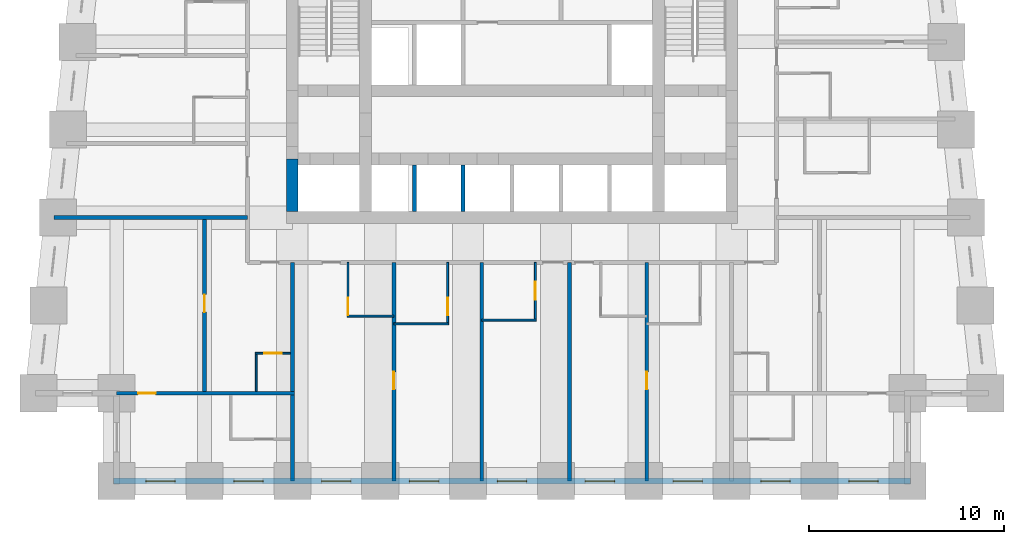
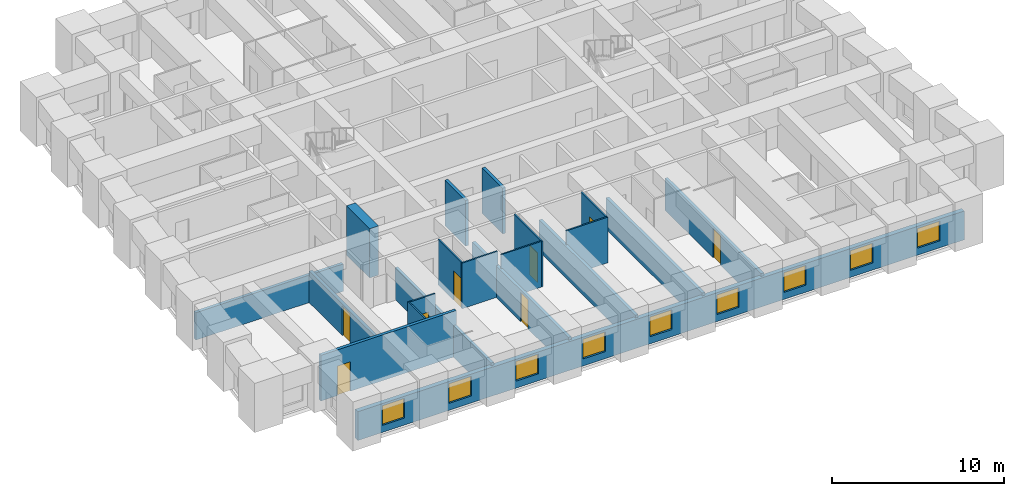
# One storey, part 2 of 8: 20 walls, 9 windows, 8 doors, 17 openings.
"""IFC4 building model written with IfcOpenShell, lengths in metres."""

from ifc_helpers import new_model, si_unit, direction, frame, frame_2d, origin, place, context, subcontext, project, spatial, rectangle, extrude, material, layer, layer_set, type_object, element, fill, save


model = new_model("IFC4")

# Units and contexts
model_context = context("Model", 3, precision=1e-05, world=origin(), true_north=direction((0.0, 1.0)))
body_context = subcontext(model_context, "Body", "Model", "MODEL_VIEW")
ifc_project = project(units=[si_unit("LENGTHUNIT", "METRE"), si_unit("AREAUNIT", "SQUARE_METRE"), si_unit("VOLUMEUNIT", "CUBIC_METRE"), si_unit("PLANEANGLEUNIT", "RADIAN"), si_unit("MASSUNIT", "GRAM", prefix="KILO")], contexts=[model_context])

# Site, building, storey
site_placement = place(None, origin())
site = spatial("IfcSite", under=ifc_project, at=site_placement, CompositionType="ELEMENT")
building_placement = place(site_placement, origin())
building = spatial("IfcBuilding", under=site, at=building_placement, Name="Kilele Tower Hotel", CompositionType="ELEMENT")
storey_placement = place(building_placement, frame((0.0, 0.0, 71.699951171875)))
storey = spatial("IfcBuildingStorey", under=building, at=storey_placement, Name="L17", CompositionType="ELEMENT", Elevation=71.699951171875)

# Wall
ifc_material_1 = material(Name="Moisture-resistant board")
ifc_layer_1 = layer(ifc_material_1, 0.10009765625)
ifc_layer_set_1 = layer_set([ifc_layer_1], Name="Moisture-resistant board")
wall_type_1 = type_object("IfcWallType", Name="Bathroom partition 100", PredefinedType="PLUMBINGWALL", material=ifc_layer_set_1)
wall_1_placement = place(storey_placement, frame((16.300048828125, 8.449951171875, 0.0), z_axis=(0.0, 0.0, 1.0), x_axis=(1.0, 0.0, 0.0)))
element("IfcWall", 1, at=wall_1_placement, inside=storey, type_object=wall_type_1, Name="Bathroom partition 100 L17", PredefinedType="PLUMBINGWALL", context=body_context, shape_type="SweptSolid", body=[
    extrude(rectangle(XDim=2.39990234375, YDim=0.10009765625, at=frame_2d((1.199951171875, 0.0))), origin(), (0.0, 0.0, 1.0), 3.25),
])

# Wall, opening, door
wall_2_placement = place(storey_placement, frame((16.35009765625, 11.199951171875, 0.0), z_axis=(0.0, 0.0, 1.0), x_axis=(0.0, -1.0, 0.0)))
wall_2 = element("IfcWall", 2, at=wall_2_placement, inside=storey, type_object=wall_type_1, Name="Bathroom partition 100 L17", PredefinedType="PLUMBINGWALL", context=body_context, shape_type="SweptSolid", body=[
    extrude(rectangle(XDim=2.800048828125, YDim=0.10009765625, at=frame_2d((1.39990234375, 0.0))), origin(), (0.0, 0.0, 1.0), 3.25),
])
opening_1_placement = place(wall_2_placement, frame((2.699951171875, 0.0, 0.0), z_axis=(0.0, 0.0, 1.0), x_axis=(-1.0, 0.0, 0.0)))
opening_1 = element("IfcOpeningElement", 3, at=opening_1_placement, cuts=wall_2, Name="Opening D2A", PredefinedType="OPENING", context=body_context, shape_type="SweptSolid", body=[
    extrude(rectangle(XDim=0.89990234375, YDim=2.10009765625, at=frame_2d((0.449951171875, 1.050048828125))), frame((0.0, 0.06005859375, 0.0), z_axis=(0.0, -1.0, 0.0), x_axis=(1.0, 0.0, 0.0)), (0.0, 0.0, 1.0), 0.1201171875),
])
ifc_material_2 = material(Name="Timber door leaf in hardwood frame", Category="wood")
door_type_1 = type_object("IfcDoorType", Name="Bathroom door 900", OperationType="SINGLE_SWING_LEFT", PredefinedType="DOOR", material=ifc_material_2)
door_1_placement = place(opening_1_placement, origin())
door_1 = element("IfcDoor", 4, at=door_1_placement, inside=storey, type_object=door_type_1, Name="Bathroom door 1701B", OperationType="SINGLE_SWING_LEFT", OverallHeight=2.10009765625, OverallWidth=0.89990234375, PredefinedType="DOOR", context=body_context, shape_type="SweptSolid", body=[
    extrude(rectangle(XDim=0.89990234375, YDim=2.10009765625, at=frame_2d((0.449951171875, 1.050048828125))), frame((0.0, 0.02490234375, 0.0), z_axis=(0.0, -1.0, 0.0), x_axis=(1.0, 0.0, 0.0)), (0.0, 0.0, 1.0), 0.050048828125),
])
fill(opening_1, door_1)

# Wall
wall_3_placement = place(storey_placement, frame((18.699951171875, 8.050048828125, 0.0), z_axis=(0.0, 0.0, 1.0), x_axis=(1.0, 0.0, 0.0)))
element("IfcWall", 5, at=wall_3_placement, inside=storey, type_object=wall_type_1, Name="Bathroom partition 100 L17", PredefinedType="PLUMBINGWALL", context=body_context, shape_type="SweptSolid", body=[
    extrude(rectangle(XDim=2.800048828125, YDim=0.10009765625, at=frame_2d((1.39990234375, 0.0))), origin(), (0.0, 0.0, 1.0), 3.25),
])

# Wall, opening, door
wall_4_placement = place(storey_placement, frame((21.449951171875, 11.199951171875, 0.0), z_axis=(0.0, 0.0, 1.0), x_axis=(0.0, -1.0, 0.0)))
wall_4 = element("IfcWall", 6, at=wall_4_placement, inside=storey, type_object=wall_type_1, Name="Bathroom partition 100 L17", PredefinedType="PLUMBINGWALL", context=body_context, shape_type="SweptSolid", body=[
    extrude(rectangle(XDim=3.199951171875, YDim=0.10009765625, at=frame_2d((1.60009765625, 0.0))), origin(), (0.0, 0.0, 1.0), 3.25),
])
opening_2_placement = place(wall_4_placement, frame((1.800048828125, 0.0, 0.0)))
opening_2 = element("IfcOpeningElement", 7, at=opening_2_placement, cuts=wall_4, Name="Opening D2A", PredefinedType="OPENING", context=body_context, shape_type="SweptSolid", body=[
    extrude(rectangle(XDim=0.89990234375, YDim=2.10009765625, at=frame_2d((0.449951171875, 1.050048828125))), frame((0.0, 0.06005859375, 0.0), z_axis=(0.0, -1.0, 0.0), x_axis=(1.0, 0.0, 0.0)), (0.0, 0.0, 1.0), 0.1201171875),
])
door_2_placement = place(opening_2_placement, origin())
door_2 = element("IfcDoor", 8, at=door_2_placement, inside=storey, type_object=door_type_1, Name="Bathroom door 1702B", OperationType="SINGLE_SWING_RIGHT", OverallHeight=2.10009765625, OverallWidth=0.89990234375, PredefinedType="DOOR", context=body_context, shape_type="SweptSolid", body=[
    extrude(rectangle(XDim=0.89990234375, YDim=2.10009765625, at=frame_2d((0.449951171875, 1.050048828125))), frame((0.0, 0.02490234375, 0.0), z_axis=(0.0, -1.0, 0.0), x_axis=(1.0, 0.0, 0.0)), (0.0, 0.0, 1.0), 0.050048828125),
])
fill(opening_2, door_2)

# Wall
wall_5_placement = place(storey_placement, frame((23.199951171875, 8.25, 0.0), z_axis=(0.0, 0.0, 1.0), x_axis=(1.0, 0.0, 0.0)))
element("IfcWall", 9, at=wall_5_placement, inside=storey, type_object=wall_type_1, Name="Bathroom partition 100 L17", PredefinedType="PLUMBINGWALL", context=body_context, shape_type="SweptSolid", body=[
    extrude(rectangle(XDim=2.800048828125, YDim=0.10009765625, at=frame_2d((1.39990234375, 0.0))), origin(), (0.0, 0.0, 1.0), 3.25),
])

# Wall, opening, door
wall_6_placement = place(storey_placement, frame((25.949951171875, 11.199951171875, 0.0), z_axis=(0.0, 0.0, 1.0), x_axis=(0.0, -1.0, 0.0)))
wall_6 = element("IfcWall", 10, at=wall_6_placement, inside=storey, type_object=wall_type_1, Name="Bathroom partition 100 L17", PredefinedType="PLUMBINGWALL", context=body_context, shape_type="SweptSolid", body=[
    extrude(rectangle(XDim=3.0, YDim=0.10009765625, at=frame_2d((1.5, 0.0))), origin(), (0.0, 0.0, 1.0), 3.25),
])
opening_3_placement = place(wall_6_placement, frame((1.0, 0.0, 0.0)))
opening_3 = element("IfcOpeningElement", 11, at=opening_3_placement, cuts=wall_6, Name="Opening D2A", PredefinedType="OPENING", context=body_context, shape_type="SweptSolid", body=[
    extrude(rectangle(XDim=0.89990234375, YDim=2.10009765625, at=frame_2d((0.449951171875, 1.050048828125))), frame((0.0, 0.06005859375, 0.0), z_axis=(0.0, -1.0, 0.0), x_axis=(1.0, 0.0, 0.0)), (0.0, 0.0, 1.0), 0.1201171875),
])
door_3_placement = place(opening_3_placement, origin())
door_3 = element("IfcDoor", 12, at=door_3_placement, inside=storey, type_object=door_type_1, Name="Bathroom door 1703B", OperationType="SINGLE_SWING_LEFT", OverallHeight=2.10009765625, OverallWidth=0.89990234375, PredefinedType="DOOR", context=body_context, shape_type="SweptSolid", body=[
    extrude(rectangle(XDim=0.89990234375, YDim=2.10009765625, at=frame_2d((0.449951171875, 1.050048828125))), frame((0.0, 0.02490234375, 0.0), z_axis=(0.0, -1.0, 0.0), x_axis=(1.0, 0.0, 0.0)), (0.0, 0.0, 1.0), 0.050048828125),
])
fill(opening_3, door_3)

# Wall
wall_7_placement = place(storey_placement, frame((11.64990234375, 4.60009765625, 0.0), z_axis=(0.0, 0.0, 1.0), x_axis=(0.0, 1.0, 0.0)))
element("IfcWall", 13, at=wall_7_placement, inside=storey, type_object=wall_type_1, Name="Bathroom partition 100 L17", PredefinedType="PLUMBINGWALL", context=body_context, shape_type="SweptSolid", body=[
    extrude(rectangle(XDim=2.0, YDim=0.10009765625, at=frame_2d((1.0, 0.0))), origin(), (0.0, 0.0, 1.0), 3.25),
])

# Wall, opening, door
wall_8_placement = place(storey_placement, frame((13.39990234375, 6.550048828125, 0.0), z_axis=(0.0, 0.0, 1.0), x_axis=(-1.0, 0.0, 0.0)))
wall_8 = element("IfcWall", 14, at=wall_8_placement, inside=storey, type_object=wall_type_1, Name="Bathroom partition 100 L17", PredefinedType="PLUMBINGWALL", context=body_context, shape_type="SweptSolid", body=[
    extrude(rectangle(XDim=1.7998046875, YDim=0.10009765625, at=frame_2d((0.89990234375, 0.0))), origin(), (0.0, 0.0, 1.0), 3.25),
])
opening_4_placement = place(wall_8_placement, frame((1.349853515625, 0.0, 0.0), z_axis=(0.0, 0.0, 1.0), x_axis=(-1.0, 0.0, 0.0)))
opening_4 = element("IfcOpeningElement", 15, at=opening_4_placement, cuts=wall_8, Name="Opening D2A", PredefinedType="OPENING", context=body_context, shape_type="SweptSolid", body=[
    extrude(rectangle(XDim=0.89990234375, YDim=2.10009765625, at=frame_2d((0.449951171875, 1.050048828125))), frame((0.0, 0.06005859375, 0.0), z_axis=(0.0, -1.0, 0.0), x_axis=(1.0, 0.0, 0.0)), (0.0, 0.0, 1.0), 0.1201171875),
])
door_4_placement = place(opening_4_placement, origin())
door_4 = element("IfcDoor", 16, at=door_4_placement, inside=storey, type_object=door_type_1, Name="Bathroom door 1717P", OperationType="SINGLE_SWING_RIGHT", OverallHeight=2.10009765625, OverallWidth=0.89990234375, PredefinedType="DOOR", context=body_context, shape_type="SweptSolid", body=[
    extrude(rectangle(XDim=0.89990234375, YDim=2.10009765625, at=frame_2d((0.449951171875, 1.050048828125))), frame((0.0, 0.02490234375, 0.0), z_axis=(0.0, -1.0, 0.0), x_axis=(1.0, 0.0, 0.0)), (0.0, 0.0, 1.0), 0.050048828125),
])
fill(opening_4, door_4)

# Wall
ifc_material_3 = material(Name="Concrete C60/75", Category="concrete")
ifc_layer_2 = layer(ifc_material_3, 0.60009765625)
ifc_layer_set_2 = layer_set([ifc_layer_2], Name="Concrete C60/75")
wall_type_2 = type_object("IfcWallType", Name="Core wall 600 C60/75", PredefinedType="SHEAR", material=ifc_layer_set_2)
wall_9_placement = place(storey_placement, frame((13.5, 16.5, 0.0), z_axis=(0.0, 0.0, 1.0), x_axis=(0.0, -1.0, 0.0)))
element("IfcWall", 17, at=wall_9_placement, inside=storey, type_object=wall_type_2, Name="Core wall W3 L17", PredefinedType="SHEAR", context=body_context, shape_type="SweptSolid", body=[
    extrude(rectangle(XDim=2.699951171875, YDim=0.60009765625, at=frame_2d((1.35009765625, 0.0))), origin(), (0.0, 0.0, 1.0), 3.5),
])

# Wall, opening, door
ifc_material_4 = material(Name="Blockwork, plastered both sides", Category="masonry")
ifc_layer_3 = layer(ifc_material_4, 0.199951171875)
ifc_layer_set_3 = layer_set([ifc_layer_3], Name="Blockwork, plastered both sides")
wall_type_3 = type_object("IfcWallType", Name="Partition wall 200", PredefinedType="PARTITIONING", material=ifc_layer_set_3)
wall_10_placement = place(storey_placement, frame((9.0, 4.60009765625, 0.0), z_axis=(0.0, 0.0, 1.0), x_axis=(0.0, 1.0, 0.0)))
wall_10 = element("IfcWall", 18, at=wall_10_placement, inside=storey, type_object=wall_type_3, Name="Partition wall 200 L17", PredefinedType="PARTITIONING", context=body_context, shape_type="SweptSolid", body=[
    extrude(rectangle(XDim=8.7998046875, YDim=0.199951171875, at=frame_2d((4.39990234375, 0.0))), origin(), (0.0, 0.0, 1.0), 2.25),
])
opening_5_placement = place(wall_10_placement, frame((4.050048828125, 0.0, 0.0)))
opening_5 = element("IfcOpeningElement", 19, at=opening_5_placement, cuts=wall_10, Name="Opening D3", PredefinedType="OPENING", context=body_context, shape_type="SweptSolid", body=[
    extrude(rectangle(XDim=0.89990234375, YDim=2.10009765625, at=frame_2d((0.449951171875, 1.050048828125))), frame((0.0, 0.10986328125, 0.0), z_axis=(0.0, -1.0, 0.0), x_axis=(1.0, 0.0, 0.0)), (0.0, 0.0, 1.0), 0.219970703125),
])
ifc_material_5 = material(Name="Timber door leaf in hardwood frame", Category="wood")
door_type_2 = type_object("IfcDoorType", Name="Suite internal door 900", OperationType="SINGLE_SWING_LEFT", PredefinedType="DOOR", material=ifc_material_5)
door_5_placement = place(opening_5_placement, origin())
door_5 = element("IfcDoor", 20, at=door_5_placement, inside=storey, type_object=door_type_2, Name="Suite door 1718", OperationType="SINGLE_SWING_RIGHT", OverallHeight=2.10009765625, OverallWidth=0.89990234375, PredefinedType="DOOR", context=body_context, shape_type="SweptSolid", body=[
    extrude(rectangle(XDim=0.89990234375, YDim=2.10009765625, at=frame_2d((0.449951171875, 1.050048828125))), frame((0.0, 0.02490234375, 0.0), z_axis=(0.0, -1.0, 0.0), x_axis=(1.0, 0.0, 0.0)), (0.0, 0.0, 1.0), 0.050048828125),
])
fill(opening_5, door_5)

ifc_material_6 = material(Name="Blockwork, plastered both sides", Category="masonry")
ifc_layer_4 = layer(ifc_material_6, 0.199951171875)
ifc_layer_set_4 = layer_set([ifc_layer_4], Name="Blockwork, plastered both sides")
wall_type_4 = type_object("IfcWallType", Name="Party wall 200", PredefinedType="PARTITIONING", material=ifc_layer_set_4)
wall_11_placement = place(storey_placement, frame((18.699951171875, 11.199951171875, 0.0), z_axis=(0.0, 0.0, 1.0), x_axis=(0.0, -1.0, 0.0)))
wall_11 = element("IfcWall", 21, at=wall_11_placement, inside=storey, type_object=wall_type_4, Name="Party wall 200 L17", PredefinedType="PARTITIONING", context=body_context, shape_type="SweptSolid", body=[
    extrude(rectangle(XDim=11.199951171875, YDim=0.199951171875, at=frame_2d((5.60009765625, 0.0))), origin(), (0.0, 0.0, 1.0), 2.25),
])
opening_6_placement = place(wall_11_placement, frame((5.60009765625, 0.0, 0.0)))
opening_6 = element("IfcOpeningElement", 22, at=opening_6_placement, cuts=wall_11, Name="Opening D3", PredefinedType="OPENING", context=body_context, shape_type="SweptSolid", body=[
    extrude(rectangle(XDim=0.89990234375, YDim=2.10009765625, at=frame_2d((0.449951171875, 1.050048828125))), frame((0.0, 0.10986328125, 0.0), z_axis=(0.0, -1.0, 0.0), x_axis=(1.0, 0.0, 0.0)), (0.0, 0.0, 1.0), 0.219970703125),
])
door_6_placement = place(opening_6_placement, origin())
door_6 = element("IfcDoor", 23, at=door_6_placement, inside=storey, type_object=door_type_2, Name="Suite door 1702", OperationType="SINGLE_SWING_RIGHT", OverallHeight=2.10009765625, OverallWidth=0.89990234375, PredefinedType="DOOR", context=body_context, shape_type="SweptSolid", body=[
    extrude(rectangle(XDim=0.89990234375, YDim=2.10009765625, at=frame_2d((0.449951171875, 1.050048828125))), frame((0.0, 0.02490234375, 0.0), z_axis=(0.0, -1.0, 0.0), x_axis=(1.0, 0.0, 0.0)), (0.0, 0.0, 1.0), 0.050048828125),
])
fill(opening_6, door_6)

# Walls
for number, where, z_axis, x_axis, name in (
    (24, (23.199951171875, 11.199951171875, 0.0), (0.0, 0.0, 1.0), (0.0, -1.0, 0.0), "Party wall 200 L17"),
    (25, (27.699951171875, 11.199951171875, 0.0), (0.0, 0.0, 1.0), (0.0, -1.0, 0.0), "Party wall 200 L17"),
):
    element("IfcWall", number, at=place(storey_placement, frame(where, z_axis=z_axis, x_axis=x_axis)), inside=storey, type_object=wall_type_4, Name=name, PredefinedType="PARTITIONING", context=body_context, shape_type="SweptSolid", body=[
        extrude(rectangle(XDim=11.199951171875, YDim=0.199951171875, at=frame_2d((5.60009765625, 0.0))), origin(), (0.0, 0.0, 1.0), 2.25),
    ])

# Wall, opening, door
wall_12_placement = place(storey_placement, frame((31.64990234375, 11.199951171875, 0.0), z_axis=(0.0, 0.0, 1.0), x_axis=(0.0, -1.0, 0.0)))
wall_12 = element("IfcWall", 26, at=wall_12_placement, inside=storey, type_object=wall_type_4, Name="Party wall 200 L17", PredefinedType="PARTITIONING", context=body_context, shape_type="SweptSolid", body=[
    extrude(rectangle(XDim=11.199951171875, YDim=0.199951171875, at=frame_2d((5.60009765625, 0.0))), origin(), (0.0, 0.0, 1.0), 2.25),
])
opening_7_placement = place(wall_12_placement, frame((5.60009765625, 0.0, 0.0)))
opening_7 = element("IfcOpeningElement", 27, at=opening_7_placement, cuts=wall_12, Name="Opening D3", PredefinedType="OPENING", context=body_context, shape_type="SweptSolid", body=[
    extrude(rectangle(XDim=0.89990234375, YDim=2.10009765625, at=frame_2d((0.449951171875, 1.050048828125))), frame((0.0, 0.10986328125, 0.0), z_axis=(0.0, -1.0, 0.0), x_axis=(1.0, 0.0, 0.0)), (0.0, 0.0, 1.0), 0.219970703125),
])
door_7_placement = place(opening_7_placement, origin())
door_7 = element("IfcDoor", 28, at=door_7_placement, inside=storey, type_object=door_type_2, Name="Suite door 1705", OperationType="SINGLE_SWING_RIGHT", OverallHeight=2.10009765625, OverallWidth=0.89990234375, PredefinedType="DOOR", context=body_context, shape_type="SweptSolid", body=[
    extrude(rectangle(XDim=0.89990234375, YDim=2.10009765625, at=frame_2d((0.449951171875, 1.050048828125))), frame((0.0, 0.02490234375, 0.0), z_axis=(0.0, -1.0, 0.0), x_axis=(1.0, 0.0, 0.0)), (0.0, 0.0, 1.0), 0.050048828125),
])
fill(opening_7, door_7)

# Walls
wall_13_placement = place(storey_placement, frame((11.199951171875, 13.5, 0.0), z_axis=(0.0, 0.0, 1.0), x_axis=(-1.0, 0.0, 0.0)))
element("IfcWall", 29, at=wall_13_placement, inside=storey, type_object=wall_type_4, Name="Party wall 200 L17", PredefinedType="PARTITIONING", context=body_context, shape_type="SweptSolid", body=[
    extrude(rectangle(XDim=9.921142578125, YDim=0.199951171875, at=frame_2d((4.96044921875, 0.0))), origin(), (0.0, 0.0, 1.0), 1.949951171875),
])
wall_14_placement = place(storey_placement, frame((13.5, 11.199951171875, 0.0), z_axis=(0.0, 0.0, 1.0), x_axis=(0.0, -1.0, 0.0)))
element("IfcWall", 30, at=wall_14_placement, inside=storey, type_object=wall_type_4, Name="Party wall 200 L17", PredefinedType="PARTITIONING", context=body_context, shape_type="SweptSolid", body=[
    extrude(rectangle(XDim=11.199951171875, YDim=0.199951171875, at=frame_2d((5.60009765625, 0.0))), origin(), (0.0, 0.0, 1.0), 2.25),
])

# Wall, opening, door
wall_15_placement = place(storey_placement, frame((13.60009765625, 4.5, 0.0), z_axis=(0.0, 0.0, 1.0), x_axis=(-1.0, 0.0, 0.0)))
wall_15 = element("IfcWall", 31, at=wall_15_placement, inside=storey, type_object=wall_type_4, Name="Party wall 200 L17", PredefinedType="PARTITIONING", context=body_context, shape_type="SweptSolid", body=[
    extrude(rectangle(XDim=9.10009765625, YDim=0.199951171875, at=frame_2d((4.550048828125, 0.0))), origin(), (0.0, 0.0, 1.0), 3.25),
])
opening_8_placement = place(wall_15_placement, frame((7.10009765625, 0.0, 0.0)))
opening_8 = element("IfcOpeningElement", 32, at=opening_8_placement, cuts=wall_15, Name="Opening D3", PredefinedType="OPENING", context=body_context, shape_type="SweptSolid", body=[
    extrude(rectangle(XDim=0.89990234375, YDim=2.10009765625, at=frame_2d((0.449951171875, 1.050048828125))), frame((0.0, 0.10986328125, 0.0), z_axis=(0.0, -1.0, 0.0), x_axis=(1.0, 0.0, 0.0)), (0.0, 0.0, 1.0), 0.219970703125),
])
door_8_placement = place(opening_8_placement, origin())
door_8 = element("IfcDoor", 33, at=door_8_placement, inside=storey, type_object=door_type_2, Name="Suite door 1719", OperationType="SINGLE_SWING_RIGHT", OverallHeight=2.10009765625, OverallWidth=0.89990234375, PredefinedType="DOOR", context=body_context, shape_type="SweptSolid", body=[
    extrude(rectangle(XDim=0.89990234375, YDim=2.10009765625, at=frame_2d((0.449951171875, 1.050048828125))), frame((0.0, 0.02490234375, 0.0), z_axis=(0.0, -1.0, 0.0), x_axis=(1.0, 0.0, 0.0)), (0.0, 0.0, 1.0), 0.050048828125),
])
fill(opening_8, door_8)

# Wall, openings, windows
ifc_material_7 = material(Name="Concrete C40/50 precast", Category="concrete")
ifc_layer_5 = layer(ifc_material_7, 0.260009765625, Name="Precast backing", Category="LoadBearing")
ifc_material_8 = material(Name="Reconstituted stone finish", Category="masonry")
ifc_layer_6 = layer(ifc_material_8, 0.0400390625, Name="Face mix", Category="Finish")
ifc_layer_set_5 = layer_set([ifc_layer_5, ifc_layer_6], Name="Precast concrete C40/50, reconstituted stone finish")
wall_type_5 = type_object("IfcWallType", Name="Precast stone facade wall 300", PredefinedType="STANDARD", material=ifc_layer_set_5)
wall_16_placement = place(storey_placement, frame((4.35009765625, 0.0, 0.0), z_axis=(0.0, 0.0, 1.0), x_axis=(1.0, 0.0, 0.0)))
wall_16 = element("IfcWall", 34, at=wall_16_placement, inside=storey, type_object=wall_type_5, Name="Facade wall L17 edge 3", PredefinedType="STANDARD", context=body_context, shape_type="SweptSolid", body=[
    extrude(rectangle(XDim=40.7998046875, YDim=0.300048828125, at=frame_2d((20.39990234375, 0.0))), origin(), (0.0, 0.0, 1.0), 2.050048828125),
])
opening_9_placement = place(wall_16_placement, frame((1.64990234375, 0.0, 0.5)))
opening_9 = element("IfcOpeningElement", 35, at=opening_9_placement, cuts=wall_16, Name="Opening W1", PredefinedType="OPENING", context=body_context, shape_type="SweptSolid", body=[
    extrude(rectangle(XDim=1.5, YDim=1.39990234375, at=frame_2d((0.75, 0.699951171875))), frame((0.0, 0.159912109375, 0.0), z_axis=(0.0, -1.0, 0.0), x_axis=(1.0, 0.0, 0.0)), (0.0, 0.0, 1.0), 0.320068359375),
])
opening_10_placement = place(wall_16_placement, frame((6.14990234375, 0.0, 0.5)))
opening_10 = element("IfcOpeningElement", 36, at=opening_10_placement, cuts=wall_16, Name="Opening W1", PredefinedType="OPENING", context=body_context, shape_type="SweptSolid", body=[
    extrude(rectangle(XDim=1.5, YDim=1.39990234375, at=frame_2d((0.75, 0.699951171875))), frame((0.0, 0.159912109375, 0.0), z_axis=(0.0, -1.0, 0.0), x_axis=(1.0, 0.0, 0.0)), (0.0, 0.0, 1.0), 0.320068359375),
])
opening_11_placement = place(wall_16_placement, frame((10.64990234375, 0.0, 0.5)))
opening_11 = element("IfcOpeningElement", 37, at=opening_11_placement, cuts=wall_16, Name="Opening W1", PredefinedType="OPENING", context=body_context, shape_type="SweptSolid", body=[
    extrude(rectangle(XDim=1.5, YDim=1.39990234375, at=frame_2d((0.75, 0.699951171875))), frame((0.0, 0.159912109375, 0.0), z_axis=(0.0, -1.0, 0.0), x_axis=(1.0, 0.0, 0.0)), (0.0, 0.0, 1.0), 0.320068359375),
])
opening_12_placement = place(wall_16_placement, frame((15.14990234375, 0.0, 0.5)))
opening_12 = element("IfcOpeningElement", 38, at=opening_12_placement, cuts=wall_16, Name="Opening W1", PredefinedType="OPENING", context=body_context, shape_type="SweptSolid", body=[
    extrude(rectangle(XDim=1.5, YDim=1.39990234375, at=frame_2d((0.75, 0.699951171875))), frame((0.0, 0.159912109375, 0.0), z_axis=(0.0, -1.0, 0.0), x_axis=(1.0, 0.0, 0.0)), (0.0, 0.0, 1.0), 0.320068359375),
])
opening_13_placement = place(wall_16_placement, frame((19.64990234375, 0.0, 0.5)))
opening_13 = element("IfcOpeningElement", 39, at=opening_13_placement, cuts=wall_16, Name="Opening W1", PredefinedType="OPENING", context=body_context, shape_type="SweptSolid", body=[
    extrude(rectangle(XDim=1.5, YDim=1.39990234375, at=frame_2d((0.75, 0.699951171875))), frame((0.0, 0.159912109375, 0.0), z_axis=(0.0, -1.0, 0.0), x_axis=(1.0, 0.0, 0.0)), (0.0, 0.0, 1.0), 0.320068359375),
])
opening_14_placement = place(wall_16_placement, frame((24.14990234375, 0.0, 0.5)))
opening_14 = element("IfcOpeningElement", 40, at=opening_14_placement, cuts=wall_16, Name="Opening W1", PredefinedType="OPENING", context=body_context, shape_type="SweptSolid", body=[
    extrude(rectangle(XDim=1.5, YDim=1.39990234375, at=frame_2d((0.75, 0.699951171875))), frame((0.0, 0.159912109375, 0.0), z_axis=(0.0, -1.0, 0.0), x_axis=(1.0, 0.0, 0.0)), (0.0, 0.0, 1.0), 0.320068359375),
])
opening_15_placement = place(wall_16_placement, frame((28.64990234375, 0.0, 0.5)))
opening_15 = element("IfcOpeningElement", 41, at=opening_15_placement, cuts=wall_16, Name="Opening W1", PredefinedType="OPENING", context=body_context, shape_type="SweptSolid", body=[
    extrude(rectangle(XDim=1.5, YDim=1.39990234375, at=frame_2d((0.75, 0.699951171875))), frame((0.0, 0.159912109375, 0.0), z_axis=(0.0, -1.0, 0.0), x_axis=(1.0, 0.0, 0.0)), (0.0, 0.0, 1.0), 0.320068359375),
])
opening_16_placement = place(wall_16_placement, frame((33.14990234375, 0.0, 0.5)))
opening_16 = element("IfcOpeningElement", 42, at=opening_16_placement, cuts=wall_16, Name="Opening W1", PredefinedType="OPENING", context=body_context, shape_type="SweptSolid", body=[
    extrude(rectangle(XDim=1.5, YDim=1.39990234375, at=frame_2d((0.75, 0.699951171875))), frame((0.0, 0.159912109375, 0.0), z_axis=(0.0, -1.0, 0.0), x_axis=(1.0, 0.0, 0.0)), (0.0, 0.0, 1.0), 0.320068359375),
])
opening_17_placement = place(wall_16_placement, frame((37.64990234375, 0.0, 0.5)))
opening_17 = element("IfcOpeningElement", 43, at=opening_17_placement, cuts=wall_16, Name="Opening W1", PredefinedType="OPENING", context=body_context, shape_type="SweptSolid", body=[
    extrude(rectangle(XDim=1.5, YDim=1.39990234375, at=frame_2d((0.75, 0.699951171875))), frame((0.0, 0.159912109375, 0.0), z_axis=(0.0, -1.0, 0.0), x_axis=(1.0, 0.0, 0.0)), (0.0, 0.0, 1.0), 0.320068359375),
])
ifc_material_9 = material(Name="Aluminium frame, clear double glazing", Category="aluminium")
window_type = type_object("IfcWindowType", Name="Window W1 1500 x 1400", PartitioningType="SINGLE_PANEL", PredefinedType="WINDOW", material=ifc_material_9)
window_1_placement = place(opening_9_placement, origin())
window_1 = element("IfcWindow", 44, at=window_1_placement, inside=storey, type_object=window_type, Name="Window L17", OverallHeight=1.39990234375, OverallWidth=1.5, PartitioningType="SINGLE_PANEL", PredefinedType="WINDOW", context=body_context, shape_type="SweptSolid", body=[
    extrude(rectangle(XDim=1.5, YDim=1.39990234375, at=frame_2d((0.75, 0.699951171875))), frame((0.0, 0.030029296875, 0.0), z_axis=(0.0, -1.0, 0.0), x_axis=(1.0, 0.0, 0.0)), (0.0, 0.0, 1.0), 0.06005859375),
])
fill(opening_9, window_1)
window_2_placement = place(opening_10_placement, origin())
window_2 = element("IfcWindow", 45, at=window_2_placement, inside=storey, type_object=window_type, Name="Window L17", OverallHeight=1.39990234375, OverallWidth=1.5, PartitioningType="SINGLE_PANEL", PredefinedType="WINDOW", context=body_context, shape_type="SweptSolid", body=[
    extrude(rectangle(XDim=1.5, YDim=1.39990234375, at=frame_2d((0.75, 0.699951171875))), frame((0.0, 0.030029296875, 0.0), z_axis=(0.0, -1.0, 0.0), x_axis=(1.0, 0.0, 0.0)), (0.0, 0.0, 1.0), 0.06005859375),
])
fill(opening_10, window_2)
window_3_placement = place(opening_11_placement, origin())
window_3 = element("IfcWindow", 46, at=window_3_placement, inside=storey, type_object=window_type, Name="Window L17", OverallHeight=1.39990234375, OverallWidth=1.5, PartitioningType="SINGLE_PANEL", PredefinedType="WINDOW", context=body_context, shape_type="SweptSolid", body=[
    extrude(rectangle(XDim=1.5, YDim=1.39990234375, at=frame_2d((0.75, 0.699951171875))), frame((0.0, 0.030029296875, 0.0), z_axis=(0.0, -1.0, 0.0), x_axis=(1.0, 0.0, 0.0)), (0.0, 0.0, 1.0), 0.06005859375),
])
fill(opening_11, window_3)
window_4_placement = place(opening_12_placement, origin())
window_4 = element("IfcWindow", 47, at=window_4_placement, inside=storey, type_object=window_type, Name="Window L17", OverallHeight=1.39990234375, OverallWidth=1.5, PartitioningType="SINGLE_PANEL", PredefinedType="WINDOW", context=body_context, shape_type="SweptSolid", body=[
    extrude(rectangle(XDim=1.5, YDim=1.39990234375, at=frame_2d((0.75, 0.699951171875))), frame((0.0, 0.030029296875, 0.0), z_axis=(0.0, -1.0, 0.0), x_axis=(1.0, 0.0, 0.0)), (0.0, 0.0, 1.0), 0.06005859375),
])
fill(opening_12, window_4)
window_5_placement = place(opening_13_placement, origin())
window_5 = element("IfcWindow", 48, at=window_5_placement, inside=storey, type_object=window_type, Name="Window L17", OverallHeight=1.39990234375, OverallWidth=1.5, PartitioningType="SINGLE_PANEL", PredefinedType="WINDOW", context=body_context, shape_type="SweptSolid", body=[
    extrude(rectangle(XDim=1.5, YDim=1.39990234375, at=frame_2d((0.75, 0.699951171875))), frame((0.0, 0.030029296875, 0.0), z_axis=(0.0, -1.0, 0.0), x_axis=(1.0, 0.0, 0.0)), (0.0, 0.0, 1.0), 0.06005859375),
])
fill(opening_13, window_5)
window_6_placement = place(opening_14_placement, origin())
window_6 = element("IfcWindow", 49, at=window_6_placement, inside=storey, type_object=window_type, Name="Window L17", OverallHeight=1.39990234375, OverallWidth=1.5, PartitioningType="SINGLE_PANEL", PredefinedType="WINDOW", context=body_context, shape_type="SweptSolid", body=[
    extrude(rectangle(XDim=1.5, YDim=1.39990234375, at=frame_2d((0.75, 0.699951171875))), frame((0.0, 0.030029296875, 0.0), z_axis=(0.0, -1.0, 0.0), x_axis=(1.0, 0.0, 0.0)), (0.0, 0.0, 1.0), 0.06005859375),
])
fill(opening_14, window_6)
window_7_placement = place(opening_15_placement, origin())
window_7 = element("IfcWindow", 50, at=window_7_placement, inside=storey, type_object=window_type, Name="Window L17", OverallHeight=1.39990234375, OverallWidth=1.5, PartitioningType="SINGLE_PANEL", PredefinedType="WINDOW", context=body_context, shape_type="SweptSolid", body=[
    extrude(rectangle(XDim=1.5, YDim=1.39990234375, at=frame_2d((0.75, 0.699951171875))), frame((0.0, 0.030029296875, 0.0), z_axis=(0.0, -1.0, 0.0), x_axis=(1.0, 0.0, 0.0)), (0.0, 0.0, 1.0), 0.06005859375),
])
fill(opening_15, window_7)
window_8_placement = place(opening_16_placement, origin())
window_8 = element("IfcWindow", 51, at=window_8_placement, inside=storey, type_object=window_type, Name="Window L17", OverallHeight=1.39990234375, OverallWidth=1.5, PartitioningType="SINGLE_PANEL", PredefinedType="WINDOW", context=body_context, shape_type="SweptSolid", body=[
    extrude(rectangle(XDim=1.5, YDim=1.39990234375, at=frame_2d((0.75, 0.699951171875))), frame((0.0, 0.030029296875, 0.0), z_axis=(0.0, -1.0, 0.0), x_axis=(1.0, 0.0, 0.0)), (0.0, 0.0, 1.0), 0.06005859375),
])
fill(opening_16, window_8)
window_9_placement = place(opening_17_placement, origin())
window_9 = element("IfcWindow", 52, at=window_9_placement, inside=storey, type_object=window_type, Name="Window L17", OverallHeight=1.39990234375, OverallWidth=1.5, PartitioningType="SINGLE_PANEL", PredefinedType="WINDOW", context=body_context, shape_type="SweptSolid", body=[
    extrude(rectangle(XDim=1.5, YDim=1.39990234375, at=frame_2d((0.75, 0.699951171875))), frame((0.0, 0.030029296875, 0.0), z_axis=(0.0, -1.0, 0.0), x_axis=(1.0, 0.0, 0.0)), (0.0, 0.0, 1.0), 0.06005859375),
])
fill(opening_17, window_9)

# Walls
ifc_material_10 = material(Name="Blockwork, fire-rated", Category="masonry")
ifc_layer_7 = layer(ifc_material_10, 0.199951171875)
ifc_layer_set_6 = layer_set([ifc_layer_7], Name="Blockwork, fire-rated")
wall_type_6 = type_object("IfcWallType", Name="Shaft wall 200", PredefinedType="PARTITIONING", material=ifc_layer_set_6)
for number, where, z_axis, x_axis, name in (
    (53, (19.75, 13.800048828125, 0.0), (0.0, 0.0, 1.0), (0.0, 1.0, 0.0), "Shaft wall 200 L17"),
    (54, (22.25, 13.800048828125, 0.0), (0.0, 0.0, 1.0), (0.0, 1.0, 0.0), "Shaft wall 200 L17"),
):
    element("IfcWall", number, at=place(storey_placement, frame(where, z_axis=z_axis, x_axis=x_axis)), inside=storey, type_object=wall_type_6, Name=name, PredefinedType="PARTITIONING", context=body_context, shape_type="SweptSolid", body=[
        extrude(rectangle(XDim=2.39990234375, YDim=0.199951171875, at=frame_2d((1.199951171875, 0.0))), origin(), (0.0, 0.0, 1.0), 3.25),
    ])

save(model, "model.ifc")
